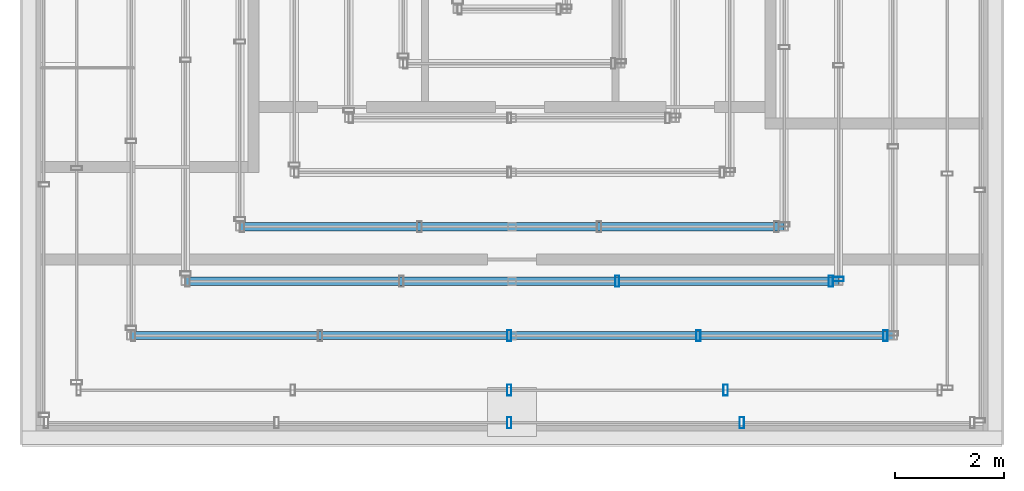
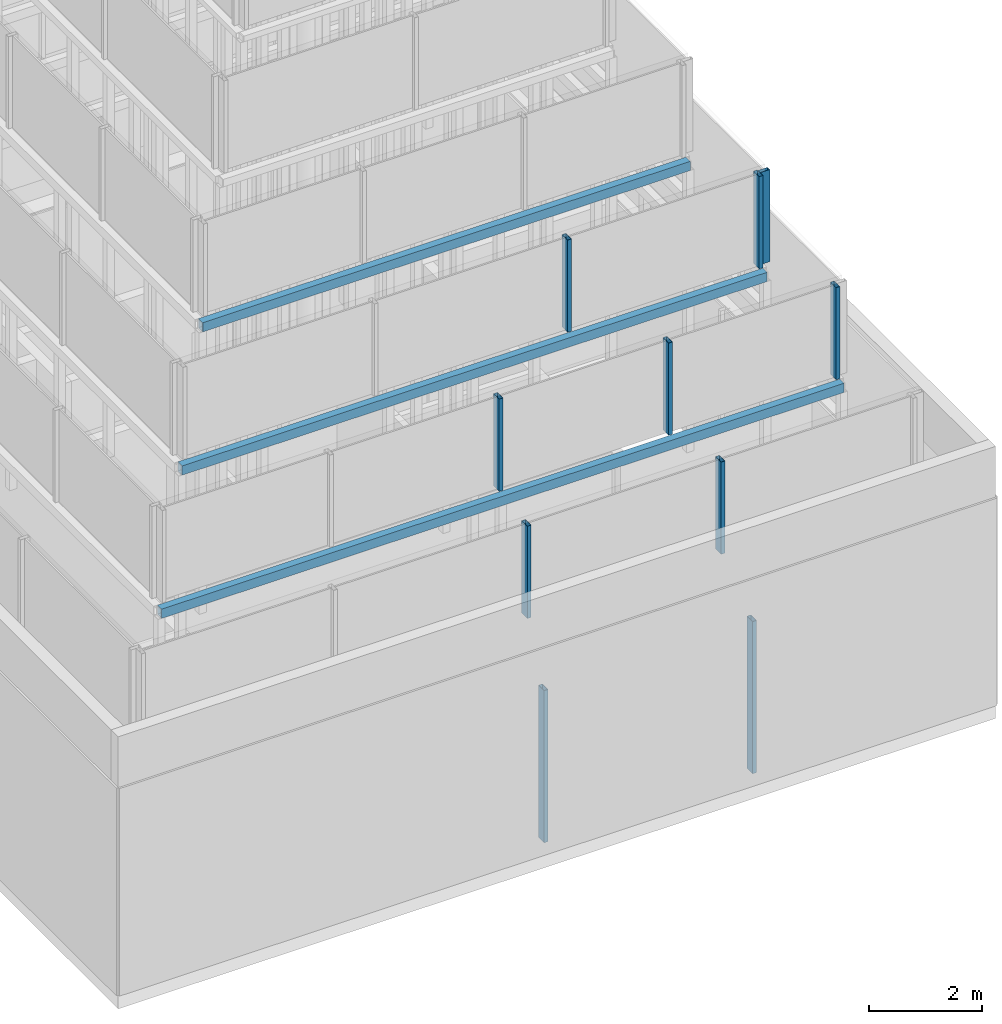
# One storey, part 6 of 24: 10 members, 3 beams, 5 elements without a shape of their own.
"""IFC4 building model written with IfcOpenShell, lengths in metres."""

from ifc_helpers import new_model, si_unit, direction, frame, origin, origin_2d, place, context, subcontext, project, spatial, hollow_rectangle, extrude, material, material_profile, profile_set, type_object, element, aggregate, save


model = new_model("IFC4")

# Units and contexts
model_context = context("Model", 3, precision=1e-05, world=origin(), true_north=direction((0.0, 1.0)))
body_context = subcontext(model_context, "Body", "Model", "MODEL_VIEW")
ifc_project = project(units=[si_unit("LENGTHUNIT", "METRE"), si_unit("AREAUNIT", "SQUARE_METRE"), si_unit("VOLUMEUNIT", "CUBIC_METRE"), si_unit("PLANEANGLEUNIT", "RADIAN"), si_unit("MASSUNIT", "GRAM", prefix="KILO")], contexts=[model_context])

# Site, building, storey
site_placement = place(None, origin())
site = spatial("IfcSite", under=ifc_project, at=site_placement, CompositionType="ELEMENT")
building_placement = place(site_placement, origin())
building = spatial("IfcBuilding", under=site, at=building_placement, Name="Altepetl Exchange Towers", CompositionType="ELEMENT")
storey_placement = place(building_placement, frame((0.0, 0.0, 279.10009765625)))
storey = spatial("IfcBuildingStorey", under=building, at=storey_placement, Name="L70 Crown plant", CompositionType="ELEMENT", Elevation=279.10009765625)

# Beams
ifc_material_1 = material(Name="Steel S355", Category="steel")
ifc_material_profile_1 = material_profile(ifc_material_1, hollow_rectangle(XDim=0.14990234375, YDim=0.199951171875, WallThickness=0.010009765625, at=origin_2d()), Name="RHS 200x150x10")
ifc_profile_set_1 = profile_set([ifc_material_profile_1], Name="Steel S355")
beam_type = type_object("IfcBeamType", Name="Crown ring beam hollow section 150x200x10", PredefinedType="BEAM", material=ifc_profile_set_1)
beam_1_placement = place(storey_placement, frame((42.5, 42.5, 6.39990234375), z_axis=(1.0, 0.0, 0.0), x_axis=(0.0, 1.0, 0.0)))
element("IfcBeam", 1, at=beam_1_placement, inside=storey, type_object=beam_type, Name="Crown ring beam", PredefinedType="BEAM", context=body_context, shape_type="SweptSolid", body=[
    extrude(hollow_rectangle(XDim=0.14990234375, YDim=0.199951171875, WallThickness=0.010009765625, at=origin_2d()), origin(), (0.0, 0.0, 1.0), 14.0),
])
beam_2_placement = place(storey_placement, frame((43.5, 43.5, 8.5498046875), z_axis=(1.0, 0.0, 0.0), x_axis=(0.0, 1.0, 0.0)))
element("IfcBeam", 2, at=beam_2_placement, inside=storey, type_object=beam_type, Name="Crown ring beam", PredefinedType="BEAM", context=body_context, shape_type="SweptSolid", body=[
    extrude(hollow_rectangle(XDim=0.14990234375, YDim=0.199951171875, WallThickness=0.010009765625, at=origin_2d()), origin(), (0.0, 0.0, 1.0), 12.0),
])
beam_3_placement = place(storey_placement, frame((44.5, 44.5, 10.699951171875), z_axis=(1.0, 0.0, 0.0), x_axis=(0.0, 1.0, 0.0)))
element("IfcBeam", 3, at=beam_3_placement, inside=storey, type_object=beam_type, Name="Crown ring beam", PredefinedType="BEAM", context=body_context, shape_type="SweptSolid", body=[
    extrude(hollow_rectangle(XDim=0.14990234375, YDim=0.199951171875, WallThickness=0.010009765625, at=origin_2d()), origin(), (0.0, 0.0, 1.0), 10.0),
])

# Curtain wall, members
ifc_material_2 = material(Name="Aluminium 6063-T6 glazing", Category="aluminium")
curtain_wall_type = type_object("IfcCurtainWallType", Name="Crown glazing system", PredefinedType="NOTDEFINED", material=ifc_material_2)
curtain_wall_1_placement = place(storey_placement, origin())
curtain_wall_1 = element("IfcCurtainWall", 4, at=curtain_wall_1_placement, inside=storey, type_object=curtain_wall_type, Name="CW7 run", PredefinedType="NOTDEFINED")
ifc_material_3 = material(Name="Aluminium 6063-T6", Category="aluminium")
ifc_material_profile_2 = material_profile(ifc_material_3, hollow_rectangle(XDim=0.080078125, YDim=0.199951171875, WallThickness=0.0029296875, at=origin_2d()), Name="Mullion 80x200 hollow aluminium")
ifc_profile_set_2 = profile_set([ifc_material_profile_2], Name="Aluminium 6063-T6")
member_type = type_object("IfcMemberType", Name="Mullion 80x200 hollow aluminium", PredefinedType="MULLION", material=ifc_profile_set_2)
member_1_placement = place(storey_placement, frame((49.449951171875, 40.89990234375, 0.0)))
member_1 = element("IfcMember", 5, at=member_1_placement, type_object=member_type, Name="MU5 mullion", PredefinedType="MULLION", context=body_context, shape_type="SweptSolid", body=[
    extrude(hollow_rectangle(XDim=0.080078125, YDim=0.199951171875, WallThickness=0.0029296875, at=origin_2d()), origin(), (0.0, 0.0, 1.0), 3.2998046875),
])
member_2_placement = place(storey_placement, frame((53.72509765625, 40.89990234375, 0.0)))
member_2 = element("IfcMember", 6, at=member_2_placement, type_object=member_type, Name="MU5 mullion", PredefinedType="MULLION", context=body_context, shape_type="SweptSolid", body=[
    extrude(hollow_rectangle(XDim=0.080078125, YDim=0.199951171875, WallThickness=0.0029296875, at=origin_2d()), origin(), (0.0, 0.0, 1.0), 3.2998046875),
])
aggregate(curtain_wall_1, [member_1, member_2])

curtain_wall_2_placement = place(storey_placement, origin())
curtain_wall_2 = element("IfcCurtainWall", 7, at=curtain_wall_2_placement, inside=storey, type_object=curtain_wall_type, Name="CW7 run", PredefinedType="NOTDEFINED")
member_3_placement = place(storey_placement, frame((49.449951171875, 41.5, 4.5)))
member_3 = element("IfcMember", 8, at=member_3_placement, type_object=member_type, Name="MU5 mullion", PredefinedType="MULLION", context=body_context, shape_type="SweptSolid", body=[
    extrude(hollow_rectangle(XDim=0.080078125, YDim=0.199951171875, WallThickness=0.0029296875, at=origin_2d()), origin(), (0.0, 0.0, 1.0), 2.0),
])
member_4_placement = place(storey_placement, frame((53.425048828125, 41.5, 4.5)))
member_4 = element("IfcMember", 9, at=member_4_placement, type_object=member_type, Name="MU5 mullion", PredefinedType="MULLION", context=body_context, shape_type="SweptSolid", body=[
    extrude(hollow_rectangle(XDim=0.080078125, YDim=0.199951171875, WallThickness=0.0029296875, at=origin_2d()), origin(), (0.0, 0.0, 1.0), 2.0),
])
aggregate(curtain_wall_2, [member_3, member_4])

curtain_wall_3_placement = place(storey_placement, origin())
curtain_wall_3 = element("IfcCurtainWall", 10, at=curtain_wall_3_placement, inside=storey, type_object=curtain_wall_type, Name="CW7 run", PredefinedType="NOTDEFINED")
member_5_placement = place(storey_placement, frame((49.449951171875, 42.5, 6.64990234375)))
member_5 = element("IfcMember", 11, at=member_5_placement, type_object=member_type, Name="MU5 mullion", PredefinedType="MULLION", context=body_context, shape_type="SweptSolid", body=[
    extrude(hollow_rectangle(XDim=0.080078125, YDim=0.199951171875, WallThickness=0.0029296875, at=origin_2d()), origin(), (0.0, 0.0, 1.0), 2.0),
])
member_6_placement = place(storey_placement, frame((52.925048828125, 42.5, 6.64990234375)))
member_6 = element("IfcMember", 12, at=member_6_placement, type_object=member_type, Name="MU5 mullion", PredefinedType="MULLION", context=body_context, shape_type="SweptSolid", body=[
    extrude(hollow_rectangle(XDim=0.080078125, YDim=0.199951171875, WallThickness=0.0029296875, at=origin_2d()), origin(), (0.0, 0.0, 1.0), 2.0),
])
member_7_placement = place(storey_placement, frame((56.360107421875, 42.5, 6.64990234375)))
member_7 = element("IfcMember", 13, at=member_7_placement, type_object=member_type, Name="MU5 mullion", PredefinedType="MULLION", context=body_context, shape_type="SweptSolid", body=[
    extrude(hollow_rectangle(XDim=0.080078125, YDim=0.199951171875, WallThickness=0.0029296875, at=origin_2d()), origin(), (0.0, 0.0, 1.0), 2.0),
])
aggregate(curtain_wall_3, [member_5, member_6, member_7])

curtain_wall_4_placement = place(storey_placement, origin())
curtain_wall_4 = element("IfcCurtainWall", 14, at=curtain_wall_4_placement, inside=storey, type_object=curtain_wall_type, Name="CW7 run", PredefinedType="NOTDEFINED")
member_8_placement = place(storey_placement, frame((51.433349609375, 43.5, 8.7998046875)))
member_8 = element("IfcMember", 15, at=member_8_placement, type_object=member_type, Name="MU5 mullion", PredefinedType="MULLION", context=body_context, shape_type="SweptSolid", body=[
    extrude(hollow_rectangle(XDim=0.080078125, YDim=0.199951171875, WallThickness=0.0029296875, at=origin_2d()), origin(), (0.0, 0.0, 1.0), 2.0),
])
member_9_placement = place(storey_placement, frame((55.360107421875, 43.5, 8.7998046875)))
member_9 = element("IfcMember", 16, at=member_9_placement, type_object=member_type, Name="MU5 mullion", PredefinedType="MULLION", context=body_context, shape_type="SweptSolid", body=[
    extrude(hollow_rectangle(XDim=0.080078125, YDim=0.199951171875, WallThickness=0.0029296875, at=origin_2d()), origin(), (0.0, 0.0, 1.0), 2.0),
])
aggregate(curtain_wall_4, [member_8, member_9])

# Curtain wall, member
curtain_wall_5_placement = place(storey_placement, origin())
curtain_wall_5 = element("IfcCurtainWall", 17, at=curtain_wall_5_placement, inside=storey, type_object=curtain_wall_type, Name="CW7 run", PredefinedType="NOTDEFINED")
member_10_placement = place(storey_placement, frame((55.5, 43.5400390625, 8.7998046875), z_axis=(0.0, 0.0, 1.0), x_axis=(0.0, 1.0, 0.0)))
member_10 = element("IfcMember", 18, at=member_10_placement, type_object=member_type, Name="MU5 mullion", PredefinedType="MULLION", context=body_context, shape_type="SweptSolid", body=[
    extrude(hollow_rectangle(XDim=0.080078125, YDim=0.199951171875, WallThickness=0.0029296875, at=origin_2d()), origin(), (0.0, 0.0, 1.0), 2.0),
])
aggregate(curtain_wall_5, [member_10])

save(model, "model.ifc")
